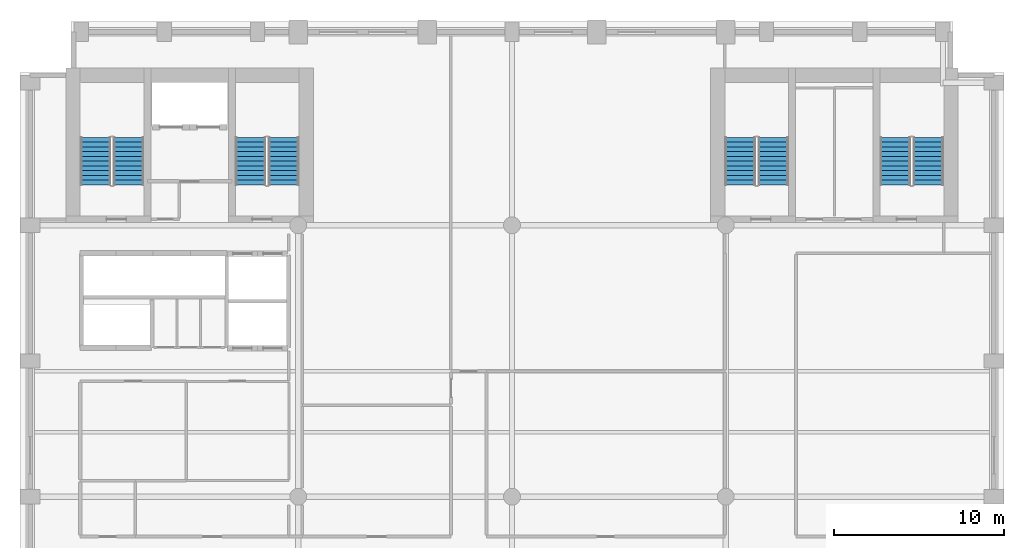
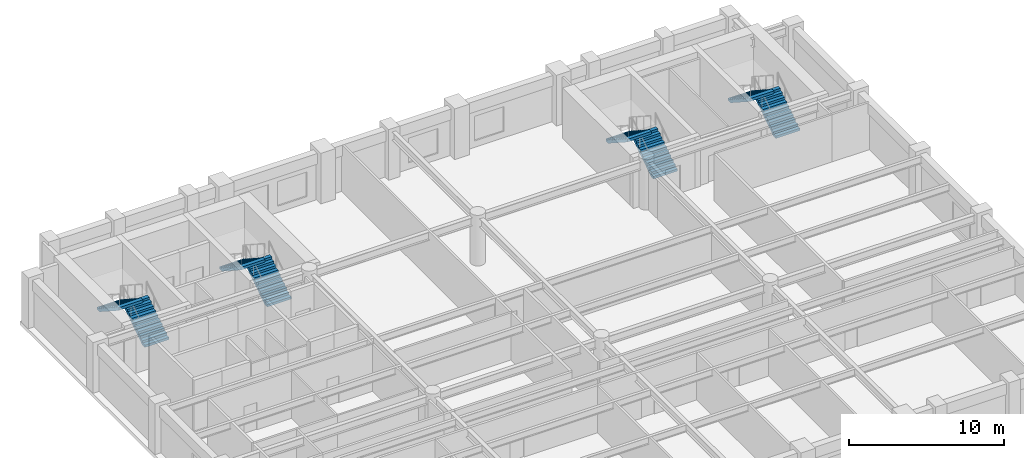
# One storey, part 6 of 8: 8 stair flights, 4 elements without a shape of their own.
"""IFC4 building model written with IfcOpenShell, lengths in metres."""

from ifc_helpers import new_model, si_unit, direction, frame, origin, place, context, subcontext, project, spatial, polyline, outline, extrude, material, type_object, element, aggregate, save


model = new_model("IFC4")

# Units and contexts
model_context = context("Model", 3, precision=1e-05, world=origin(), true_north=direction((0.0, 1.0)))
body_context = subcontext(model_context, "Body", "Model", "MODEL_VIEW")
ifc_project = project(units=[si_unit("LENGTHUNIT", "METRE"), si_unit("AREAUNIT", "SQUARE_METRE"), si_unit("VOLUMEUNIT", "CUBIC_METRE"), si_unit("PLANEANGLEUNIT", "RADIAN"), si_unit("MASSUNIT", "GRAM", prefix="KILO")], contexts=[model_context])

# Site, building, storey
site_placement = place(None, origin())
site = spatial("IfcSite", under=ifc_project, at=site_placement, CompositionType="ELEMENT")
building_placement = place(site_placement, origin())
building = spatial("IfcBuilding", under=site, at=building_placement, Name="Sulina Concourse Tower", CompositionType="ELEMENT")
storey_placement = place(building_placement, frame((0.0, 0.0, 116.60009765625)))
storey = spatial("IfcBuildingStorey", under=building, at=storey_placement, Name="L28", CompositionType="ELEMENT", Elevation=116.60009765625)

# Stair, stair flights
ifc_material_1 = material(Name="Concrete C50/60", Category="concrete")
stair_type_1 = type_object("IfcStairType", Name="Portal & Podium Core Exit Stair 1820mm", PredefinedType="HALF_TURN_STAIR", material=ifc_material_1)
stair_1_placement = place(storey_placement, origin())
stair_1 = element("IfcStair", 1, at=stair_1_placement, inside=storey, type_object=stair_type_1, Name="L28 ST-3", PredefinedType="HALF_TURN_STAIR")
ifc_material_2 = material(Name="Concrete C50/60", Category="concrete")
stair_flight_type_1 = type_object("IfcStairFlightType", Name="Portal & Podium Core Exit Stair 1820mm Flight", PredefinedType="STRAIGHT", material=ifc_material_2)
stair_flight_1_placement = place(storey_placement, frame((44.405029296875, 36.375, 0.0), z_axis=(0.0, 0.0, 1.0), x_axis=(0.0, 1.0, 0.0)))
stair_flight_1 = element("IfcStairFlight", 2, at=stair_flight_1_placement, type_object=stair_flight_type_1, Name="ST-3 flight 1", NumberOfRisers=11, NumberOfTreads=10, PredefinedType="STRAIGHT", RiserHeight=0.181818182, TreadLength=0.28, context=body_context, shape_type="SweptSolid", body=[
    extrude(outline(polyline([(0.0, 0.0), (0.0, 0.181884765625), (0.280029296875, 0.181884765625), (0.280029296875, 0.363525390625), (0.56005859375, 0.363525390625), (0.56005859375, 0.54541015625), (0.840087890625, 0.54541015625), (0.840087890625, 0.727294921875), (1.1201171875, 0.727294921875), (1.1201171875, 0.9091796875), (1.39990234375, 0.9091796875), (1.39990234375, 1.0908203125), (1.679931640625, 1.0908203125), (1.679931640625, 1.272705078125), (1.9599609375, 1.272705078125), (1.9599609375, 1.45458984375), (2.239990234375, 1.45458984375), (2.239990234375, 1.636474609375), (2.52001953125, 1.636474609375), (2.52001953125, 1.818115234375), (2.800048828125, 1.818115234375), (2.800048828125, 2.0), (2.800048828125, 1.603759765625), (0.330322265625, 0.0), (0.0, 0.0)])), frame((0.0, 0.89990234375, 0.0), z_axis=(0.0, -1.0, 0.0), x_axis=(1.0, 0.0, 0.0)), (0.0, 0.0, 1.0), 1.800048828125),
])
stair_flight_2_placement = place(storey_placement, frame((42.455078125, 39.175048828125, 2.0), z_axis=(0.0, 0.0, 1.0), x_axis=(0.0, -1.0, 0.0)))
stair_flight_2 = element("IfcStairFlight", 3, at=stair_flight_2_placement, type_object=stair_flight_type_1, Name="ST-3 flight 2", NumberOfRisers=11, NumberOfTreads=10, PredefinedType="STRAIGHT", RiserHeight=0.181818182, TreadLength=0.28, context=body_context, shape_type="SweptSolid", body=[
    extrude(outline(polyline([(0.0, 0.0), (0.0, 0.181884765625), (0.280029296875, 0.181884765625), (0.280029296875, 0.363525390625), (0.56005859375, 0.363525390625), (0.56005859375, 0.54541015625), (0.840087890625, 0.54541015625), (0.840087890625, 0.727294921875), (1.1201171875, 0.727294921875), (1.1201171875, 0.9091796875), (1.39990234375, 0.9091796875), (1.39990234375, 1.0908203125), (1.679931640625, 1.0908203125), (1.679931640625, 1.272705078125), (1.9599609375, 1.272705078125), (1.9599609375, 1.45458984375), (2.239990234375, 1.45458984375), (2.239990234375, 1.636474609375), (2.52001953125, 1.636474609375), (2.52001953125, 1.818115234375), (2.800048828125, 1.818115234375), (2.800048828125, 2.0), (2.800048828125, 1.603759765625), (0.330322265625, 0.0), (0.0, 0.0)])), frame((0.0, 0.89990234375, 0.0), z_axis=(0.0, -1.0, 0.0), x_axis=(1.0, 0.0, 0.0)), (0.0, 0.0, 1.0), 1.800048828125),
])
aggregate(stair_1, [stair_flight_1, stair_flight_2])

stair_2_placement = place(storey_placement, origin())
stair_2 = element("IfcStair", 4, at=stair_2_placement, inside=storey, type_object=stair_type_1, Name="L28 ST-4", PredefinedType="HALF_TURN_STAIR")
stair_flight_3_placement = place(storey_placement, frame((53.544921875, 36.375, 0.0), z_axis=(0.0, 0.0, 1.0), x_axis=(0.0, 1.0, 0.0)))
stair_flight_3 = element("IfcStairFlight", 5, at=stair_flight_3_placement, type_object=stair_flight_type_1, Name="ST-4 flight 1", NumberOfRisers=11, NumberOfTreads=10, PredefinedType="STRAIGHT", RiserHeight=0.181818182, TreadLength=0.28, context=body_context, shape_type="SweptSolid", body=[
    extrude(outline(polyline([(0.0, 0.0), (0.0, 0.181884765625), (0.280029296875, 0.181884765625), (0.280029296875, 0.363525390625), (0.56005859375, 0.363525390625), (0.56005859375, 0.54541015625), (0.840087890625, 0.54541015625), (0.840087890625, 0.727294921875), (1.1201171875, 0.727294921875), (1.1201171875, 0.9091796875), (1.39990234375, 0.9091796875), (1.39990234375, 1.0908203125), (1.679931640625, 1.0908203125), (1.679931640625, 1.272705078125), (1.9599609375, 1.272705078125), (1.9599609375, 1.45458984375), (2.239990234375, 1.45458984375), (2.239990234375, 1.636474609375), (2.52001953125, 1.636474609375), (2.52001953125, 1.818115234375), (2.800048828125, 1.818115234375), (2.800048828125, 2.0), (2.800048828125, 1.603759765625), (0.330322265625, 0.0), (0.0, 0.0)])), frame((0.0, 0.89990234375, 0.0), z_axis=(0.0, -1.0, 0.0), x_axis=(1.0, 0.0, 0.0)), (0.0, 0.0, 1.0), 1.800048828125),
])
stair_flight_4_placement = place(storey_placement, frame((51.594970703125, 39.175048828125, 2.0), z_axis=(0.0, 0.0, 1.0), x_axis=(0.0, -1.0, 0.0)))
stair_flight_4 = element("IfcStairFlight", 6, at=stair_flight_4_placement, type_object=stair_flight_type_1, Name="ST-4 flight 2", NumberOfRisers=11, NumberOfTreads=10, PredefinedType="STRAIGHT", RiserHeight=0.181818182, TreadLength=0.28, context=body_context, shape_type="SweptSolid", body=[
    extrude(outline(polyline([(0.0, 0.0), (0.0, 0.181884765625), (0.280029296875, 0.181884765625), (0.280029296875, 0.363525390625), (0.56005859375, 0.363525390625), (0.56005859375, 0.54541015625), (0.840087890625, 0.54541015625), (0.840087890625, 0.727294921875), (1.1201171875, 0.727294921875), (1.1201171875, 0.9091796875), (1.39990234375, 0.9091796875), (1.39990234375, 1.0908203125), (1.679931640625, 1.0908203125), (1.679931640625, 1.272705078125), (1.9599609375, 1.272705078125), (1.9599609375, 1.45458984375), (2.239990234375, 1.45458984375), (2.239990234375, 1.636474609375), (2.52001953125, 1.636474609375), (2.52001953125, 1.818115234375), (2.800048828125, 1.818115234375), (2.800048828125, 2.0), (2.800048828125, 1.603759765625), (0.330322265625, 0.0), (0.0, 0.0)])), frame((0.0, 0.89990234375, 0.0), z_axis=(0.0, -1.0, 0.0), x_axis=(1.0, 0.0, 0.0)), (0.0, 0.0, 1.0), 1.800048828125),
])
aggregate(stair_2, [stair_flight_3, stair_flight_4])

ifc_material_3 = material(Name="Concrete C50/60", Category="concrete")
stair_type_2 = type_object("IfcStairType", Name="Primary Core Dog-Leg Exit Stair 1800mm", PredefinedType="HALF_TURN_STAIR", material=ifc_material_3)
stair_3_placement = place(storey_placement, origin())
stair_3 = element("IfcStair", 7, at=stair_3_placement, inside=storey, type_object=stair_type_2, Name="L28 ST-1", PredefinedType="HALF_TURN_STAIR")
ifc_material_4 = material(Name="Concrete C50/60", Category="concrete")
stair_flight_type_2 = type_object("IfcStairFlightType", Name="Primary Core Dog-Leg Exit Stair 1800mm Flight", PredefinedType="STRAIGHT", material=ifc_material_4)
stair_flight_5_placement = place(storey_placement, frame((6.405029296875, 36.375, 0.0), z_axis=(0.0, 0.0, 1.0), x_axis=(0.0, 1.0, 0.0)))
stair_flight_5 = element("IfcStairFlight", 8, at=stair_flight_5_placement, type_object=stair_flight_type_2, Name="ST-1 flight 1", NumberOfRisers=11, NumberOfTreads=10, PredefinedType="STRAIGHT", RiserHeight=0.181818182, TreadLength=0.28, context=body_context, shape_type="SweptSolid", body=[
    extrude(outline(polyline([(0.0, 0.0), (0.0, 0.181884765625), (0.280029296875, 0.181884765625), (0.280029296875, 0.363525390625), (0.56005859375, 0.363525390625), (0.56005859375, 0.54541015625), (0.840087890625, 0.54541015625), (0.840087890625, 0.727294921875), (1.1201171875, 0.727294921875), (1.1201171875, 0.9091796875), (1.39990234375, 0.9091796875), (1.39990234375, 1.0908203125), (1.679931640625, 1.0908203125), (1.679931640625, 1.272705078125), (1.9599609375, 1.272705078125), (1.9599609375, 1.45458984375), (2.239990234375, 1.45458984375), (2.239990234375, 1.636474609375), (2.52001953125, 1.636474609375), (2.52001953125, 1.818115234375), (2.800048828125, 1.818115234375), (2.800048828125, 2.0), (2.800048828125, 1.603759765625), (0.330322265625, 0.0), (0.0, 0.0)])), frame((0.0, 0.89990234375, 0.0), z_axis=(0.0, -1.0, 0.0), x_axis=(1.0, 0.0, 0.0)), (0.0, 0.0, 1.0), 1.800048828125),
])
stair_flight_6_placement = place(storey_placement, frame((4.455078125, 39.175048828125, 2.0), z_axis=(0.0, 0.0, 1.0), x_axis=(0.0, -1.0, 0.0)))
stair_flight_6 = element("IfcStairFlight", 9, at=stair_flight_6_placement, type_object=stair_flight_type_2, Name="ST-1 flight 2", NumberOfRisers=11, NumberOfTreads=10, PredefinedType="STRAIGHT", RiserHeight=0.181818182, TreadLength=0.28, context=body_context, shape_type="SweptSolid", body=[
    extrude(outline(polyline([(0.0, 0.0), (0.0, 0.181884765625), (0.280029296875, 0.181884765625), (0.280029296875, 0.363525390625), (0.56005859375, 0.363525390625), (0.56005859375, 0.54541015625), (0.840087890625, 0.54541015625), (0.840087890625, 0.727294921875), (1.1201171875, 0.727294921875), (1.1201171875, 0.9091796875), (1.39990234375, 0.9091796875), (1.39990234375, 1.0908203125), (1.679931640625, 1.0908203125), (1.679931640625, 1.272705078125), (1.9599609375, 1.272705078125), (1.9599609375, 1.45458984375), (2.239990234375, 1.45458984375), (2.239990234375, 1.636474609375), (2.52001953125, 1.636474609375), (2.52001953125, 1.818115234375), (2.800048828125, 1.818115234375), (2.800048828125, 2.0), (2.800048828125, 1.603759765625), (0.330322265625, 0.0), (0.0, 0.0)])), frame((0.0, 0.89990234375, 0.0), z_axis=(0.0, -1.0, 0.0), x_axis=(1.0, 0.0, 0.0)), (0.0, 0.0, 1.0), 1.800048828125),
])
aggregate(stair_3, [stair_flight_5, stair_flight_6])

stair_4_placement = place(storey_placement, origin())
stair_4 = element("IfcStair", 10, at=stair_4_placement, inside=storey, type_object=stair_type_2, Name="L28 ST-2", PredefinedType="HALF_TURN_STAIR")
stair_flight_7_placement = place(storey_placement, frame((15.544921875, 36.375, 0.0), z_axis=(0.0, 0.0, 1.0), x_axis=(0.0, 1.0, 0.0)))
stair_flight_7 = element("IfcStairFlight", 11, at=stair_flight_7_placement, type_object=stair_flight_type_2, Name="ST-2 flight 1", NumberOfRisers=11, NumberOfTreads=10, PredefinedType="STRAIGHT", RiserHeight=0.181818182, TreadLength=0.28, context=body_context, shape_type="SweptSolid", body=[
    extrude(outline(polyline([(0.0, 0.0), (0.0, 0.181884765625), (0.280029296875, 0.181884765625), (0.280029296875, 0.363525390625), (0.56005859375, 0.363525390625), (0.56005859375, 0.54541015625), (0.840087890625, 0.54541015625), (0.840087890625, 0.727294921875), (1.1201171875, 0.727294921875), (1.1201171875, 0.9091796875), (1.39990234375, 0.9091796875), (1.39990234375, 1.0908203125), (1.679931640625, 1.0908203125), (1.679931640625, 1.272705078125), (1.9599609375, 1.272705078125), (1.9599609375, 1.45458984375), (2.239990234375, 1.45458984375), (2.239990234375, 1.636474609375), (2.52001953125, 1.636474609375), (2.52001953125, 1.818115234375), (2.800048828125, 1.818115234375), (2.800048828125, 2.0), (2.800048828125, 1.603759765625), (0.330322265625, 0.0), (0.0, 0.0)])), frame((0.0, 0.89990234375, 0.0), z_axis=(0.0, -1.0, 0.0), x_axis=(1.0, 0.0, 0.0)), (0.0, 0.0, 1.0), 1.800048828125),
])
stair_flight_8_placement = place(storey_placement, frame((13.594970703125, 39.175048828125, 2.0), z_axis=(0.0, 0.0, 1.0), x_axis=(0.0, -1.0, 0.0)))
stair_flight_8 = element("IfcStairFlight", 12, at=stair_flight_8_placement, type_object=stair_flight_type_2, Name="ST-2 flight 2", NumberOfRisers=11, NumberOfTreads=10, PredefinedType="STRAIGHT", RiserHeight=0.181818182, TreadLength=0.28, context=body_context, shape_type="SweptSolid", body=[
    extrude(outline(polyline([(0.0, 0.0), (0.0, 0.181884765625), (0.280029296875, 0.181884765625), (0.280029296875, 0.363525390625), (0.56005859375, 0.363525390625), (0.56005859375, 0.54541015625), (0.840087890625, 0.54541015625), (0.840087890625, 0.727294921875), (1.1201171875, 0.727294921875), (1.1201171875, 0.9091796875), (1.39990234375, 0.9091796875), (1.39990234375, 1.0908203125), (1.679931640625, 1.0908203125), (1.679931640625, 1.272705078125), (1.9599609375, 1.272705078125), (1.9599609375, 1.45458984375), (2.239990234375, 1.45458984375), (2.239990234375, 1.636474609375), (2.52001953125, 1.636474609375), (2.52001953125, 1.818115234375), (2.800048828125, 1.818115234375), (2.800048828125, 2.0), (2.800048828125, 1.603759765625), (0.330322265625, 0.0), (0.0, 0.0)])), frame((0.0, 0.89990234375, 0.0), z_axis=(0.0, -1.0, 0.0), x_axis=(1.0, 0.0, 0.0)), (0.0, 0.0, 1.0), 1.800048828125),
])
aggregate(stair_4, [stair_flight_7, stair_flight_8])

save(model, "model.ifc")
